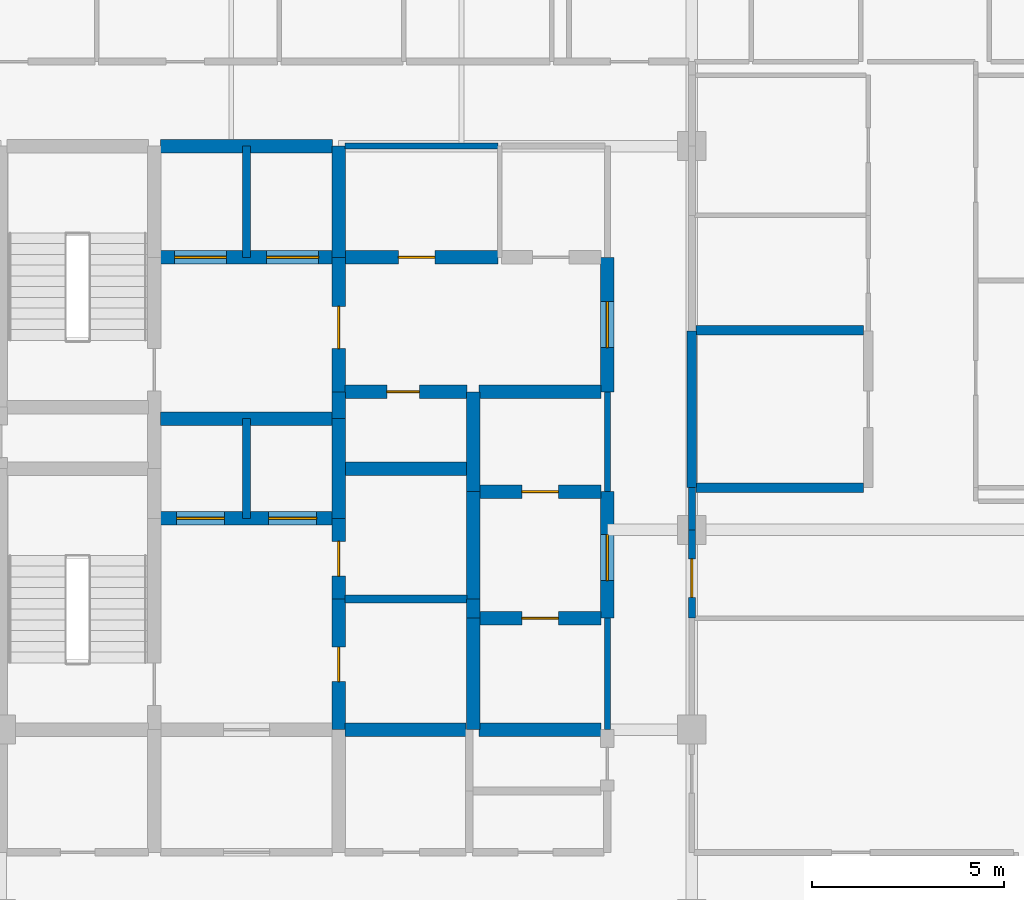
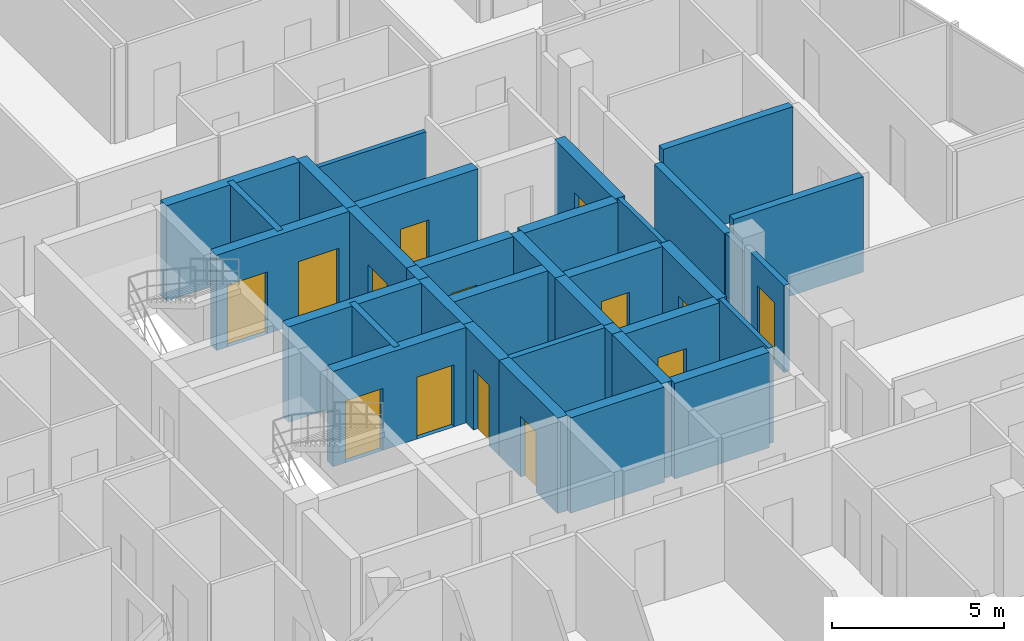
# One storey, part 24 of 28: 35 walls, 14 doors, 14 openings.
"""IFC4 building model written with IfcOpenShell, lengths in metres."""

from ifc_helpers import new_model, si_unit, direction, frame, frame_2d, origin, place, context, subcontext, project, spatial, rectangle, extrude, material, layer, layer_set, type_object, element, fill, save


model = new_model("IFC4")

# Units and contexts
model_context = context("Model", 3, precision=1e-05, world=origin(), true_north=direction((0.0, 1.0)))
body_context = subcontext(model_context, "Body", "Model", "MODEL_VIEW")
ifc_project = project(units=[si_unit("LENGTHUNIT", "METRE"), si_unit("AREAUNIT", "SQUARE_METRE"), si_unit("VOLUMEUNIT", "CUBIC_METRE"), si_unit("PLANEANGLEUNIT", "RADIAN"), si_unit("MASSUNIT", "GRAM", prefix="KILO")], contexts=[model_context])

# Site, building, storey
site_placement = place(None, origin())
site = spatial("IfcSite", under=ifc_project, at=site_placement, CompositionType="ELEMENT")
building_placement = place(site_placement, origin())
building = spatial("IfcBuilding", under=site, at=building_placement, Name="Keshet Zoharim Tower", CompositionType="ELEMENT")
storey_placement = place(building_placement, frame((0.0, 0.0, 265.800048828125)))
storey = spatial("IfcBuildingStorey", under=building, at=storey_placement, Name="L66", CompositionType="ELEMENT", Elevation=265.800048828125)

# Walls
ifc_material_1 = material(Name="Gypsum Plasterboard", Category="gypsum")
ifc_layer_1 = layer(ifc_material_1, 0.14990234375)
ifc_layer_set_1 = layer_set([ifc_layer_1], Name="Gypsum Plasterboard")
wall_type_1 = type_object("IfcWallType", Name="WL-CLIN-150", PredefinedType="STANDARD", material=ifc_layer_set_1)
wall_1_placement = place(storey_placement, frame((30.800048828125, 22.699951171875, 0.0), z_axis=(0.0, 0.0, 1.0), x_axis=(0.0, 1.0, 0.0)))
element("IfcWall", 1, at=wall_1_placement, inside=storey, type_object=wall_type_1, Name="L66 Interior Wall 067", PredefinedType="STANDARD", context=body_context, shape_type="SweptSolid", body=[
    extrude(rectangle(XDim=2.900146484375, YDim=0.14990234375, at=frame_2d((1.4501953125, 0.0))), origin(), (0.0, 0.0, 1.0), 3.389892578125),
])
wall_2_placement = place(storey_placement, frame((30.800048828125, 28.89990234375, 0.0), z_axis=(0.0, 0.0, 1.0), x_axis=(0.0, 1.0, 0.0)))
element("IfcWall", 2, at=wall_2_placement, inside=storey, type_object=wall_type_1, Name="L66 Interior Wall 069", PredefinedType="STANDARD", context=body_context, shape_type="SweptSolid", body=[
    extrude(rectangle(XDim=2.60009765625, YDim=0.14990234375, at=frame_2d((1.300048828125, 0.0))), origin(), (0.0, 0.0, 1.0), 3.389892578125),
])
wall_3_placement = place(storey_placement, frame((23.9599609375, 37.89990234375, 0.0), z_axis=(0.0, 0.0, 1.0), x_axis=(1.0, 0.0, 0.0)))
element("IfcWall", 3, at=wall_3_placement, inside=storey, type_object=wall_type_1, Name="L66 Interior Wall 161", PredefinedType="STANDARD", context=body_context, shape_type="SweptSolid", body=[
    extrude(rectangle(XDim=3.9951171875, YDim=0.14990234375, at=frame_2d((1.99755859375, 0.0))), origin(), (0.0, 0.0, 1.0), 2.889892578125),
])

# Wall, opening, door
ifc_material_2 = material(Name="Concrete C60/75", Category="concrete")
ifc_layer_2 = layer(ifc_material_2, 0.35009765625)
ifc_layer_set_2 = layer_set([ifc_layer_2], Name="Concrete C60/75")
wall_type_2 = type_object("IfcWallType", Name="WL-CORE-350", PredefinedType="SHEAR", material=ifc_layer_set_2)
wall_4_placement = place(storey_placement, frame((23.800048828125, 22.699951171875, 0.0), z_axis=(0.0, 0.0, 1.0), x_axis=(0.0, 1.0, 0.0)))
wall_4 = element("IfcWall", 4, at=wall_4_placement, inside=storey, type_object=wall_type_2, Name="L66 Core Shear Wall 042", PredefinedType="SHEAR", context=body_context, shape_type="SweptSolid", body=[
    extrude(rectangle(XDim=3.400146484375, YDim=0.35009765625, at=frame_2d((1.7001953125, 0.0))), origin(), (0.0, 0.0, 1.0), 3.389892578125),
])
opening_1_placement = place(wall_4_placement, frame((1.25, 0.0, 0.0)))
opening_1 = element("IfcOpeningElement", 5, at=opening_1_placement, cuts=wall_4, Name="Opening D-F690", PredefinedType="OPENING", context=body_context, shape_type="SweptSolid", body=[
    extrude(rectangle(XDim=0.89990234375, YDim=2.14990234375, at=frame_2d((0.449951171875, 1.074951171875))), frame((0.0, 0.18505859375, 0.0), z_axis=(0.0, -1.0, 0.0), x_axis=(1.0, 0.0, 0.0)), (0.0, 0.0, 1.0), 0.3701171875),
])
ifc_material_3 = material(Name="Hardwood Timber", Category="wood")
door_type_1 = type_object("IfcDoorType", Name="DR-FD60-090", OperationType="NOTDEFINED", PredefinedType="DOOR", material=ifc_material_3)
door_1_placement = place(opening_1_placement, origin())
door_1 = element("IfcDoor", 6, at=door_1_placement, inside=storey, type_object=door_type_1, Name="L66 Core Linen Store Door", OperationType="SINGLE_SWING_LEFT", OverallHeight=2.14990234375, OverallWidth=0.89990234375, PredefinedType="DOOR", context=body_context, shape_type="SweptSolid", body=[
    extrude(rectangle(XDim=0.89990234375, YDim=2.14990234375, at=frame_2d((0.449951171875, 1.074951171875))), frame((0.0, 0.02490234375, 0.0), z_axis=(0.0, -1.0, 0.0), x_axis=(1.0, 0.0, 0.0)), (0.0, 0.0, 1.0), 0.050048828125),
])
fill(opening_1, door_1)

wall_5_placement = place(storey_placement, frame((23.800048828125, 26.10009765625, 0.0), z_axis=(0.0, 0.0, 1.0), x_axis=(0.0, 1.0, 0.0)))
wall_5 = element("IfcWall", 7, at=wall_5_placement, inside=storey, type_object=wall_type_2, Name="L66 Core Shear Wall 043", PredefinedType="SHEAR", context=body_context, shape_type="SweptSolid", body=[
    extrude(rectangle(XDim=2.099853515625, YDim=0.35009765625, at=frame_2d((1.0498046875, 0.0))), origin(), (0.0, 0.0, 1.0), 3.389892578125),
])
opening_2_placement = place(wall_5_placement, frame((0.60009765625, 0.0, 0.0)))
opening_2 = element("IfcOpeningElement", 8, at=opening_2_placement, cuts=wall_5, Name="Opening D-F690", PredefinedType="OPENING", context=body_context, shape_type="SweptSolid", body=[
    extrude(rectangle(XDim=0.89990234375, YDim=2.14990234375, at=frame_2d((0.449951171875, 1.074951171875))), frame((0.0, 0.18505859375, 0.0), z_axis=(0.0, -1.0, 0.0), x_axis=(1.0, 0.0, 0.0)), (0.0, 0.0, 1.0), 0.3701171875),
])
door_2_placement = place(opening_2_placement, origin())
door_2 = element("IfcDoor", 9, at=door_2_placement, inside=storey, type_object=door_type_1, Name="L66 Core Electrical Room Door", OperationType="SINGLE_SWING_RIGHT", OverallHeight=2.14990234375, OverallWidth=0.89990234375, PredefinedType="DOOR", context=body_context, shape_type="SweptSolid", body=[
    extrude(rectangle(XDim=0.89990234375, YDim=2.14990234375, at=frame_2d((0.449951171875, 1.074951171875))), frame((0.0, 0.02490234375, 0.0), z_axis=(0.0, -1.0, 0.0), x_axis=(1.0, 0.0, 0.0)), (0.0, 0.0, 1.0), 0.050048828125),
])
fill(opening_2, door_2)

# Walls
wall_6_placement = place(storey_placement, frame((23.800048828125, 28.199951171875, 0.0), z_axis=(0.0, 0.0, 1.0), x_axis=(0.0, 1.0, 0.0)))
element("IfcWall", 10, at=wall_6_placement, inside=storey, type_object=wall_type_2, Name="L66 Core Shear Wall 044", PredefinedType="SHEAR", context=body_context, shape_type="SweptSolid", body=[
    extrude(rectangle(XDim=2.60009765625, YDim=0.35009765625, at=frame_2d((1.300048828125, 0.0))), origin(), (0.0, 0.0, 1.0), 3.389892578125),
])
wall_7_placement = place(storey_placement, frame((23.800048828125, 30.800048828125, 0.0), z_axis=(0.0, 0.0, 1.0), x_axis=(0.0, 1.0, 0.0)))
element("IfcWall", 11, at=wall_7_placement, inside=storey, type_object=wall_type_2, Name="L66 Core Shear Wall 045", PredefinedType="SHEAR", context=body_context, shape_type="SweptSolid", body=[
    extrude(rectangle(XDim=0.699951171875, YDim=0.35009765625, at=frame_2d((0.35009765625, 0.0))), origin(), (0.0, 0.0, 1.0), 3.389892578125),
])

# Wall, opening, door
wall_8_placement = place(storey_placement, frame((23.800048828125, 31.5, 0.0), z_axis=(0.0, 0.0, 1.0), x_axis=(0.0, 1.0, 0.0)))
wall_8 = element("IfcWall", 12, at=wall_8_placement, inside=storey, type_object=wall_type_2, Name="L66 Core Shear Wall 046", PredefinedType="SHEAR", context=body_context, shape_type="SweptSolid", body=[
    extrude(rectangle(XDim=3.5, YDim=0.35009765625, at=frame_2d((1.75, 0.0))), origin(), (0.0, 0.0, 1.0), 3.389892578125),
])
opening_3_placement = place(wall_8_placement, frame((1.126953125, 0.0, 0.0)))
opening_3 = element("IfcOpeningElement", 13, at=opening_3_placement, cuts=wall_8, Name="Opening D-F611", PredefinedType="OPENING", context=body_context, shape_type="SweptSolid", body=[
    extrude(rectangle(XDim=1.10009765625, YDim=2.14990234375, at=frame_2d((0.550048828125, 1.074951171875))), frame((0.0, 0.18505859375, 0.0), z_axis=(0.0, -1.0, 0.0), x_axis=(1.0, 0.0, 0.0)), (0.0, 0.0, 1.0), 0.3701171875),
])
door_type_2 = type_object("IfcDoorType", Name="DR-FD60-110", OperationType="NOTDEFINED", PredefinedType="DOOR", material=ifc_material_3)
door_3_placement = place(opening_3_placement, origin())
door_3 = element("IfcDoor", 14, at=door_3_placement, inside=storey, type_object=door_type_2, Name="L66 Firefighting Lobby Fire Door", OperationType="SINGLE_SWING_LEFT", OverallHeight=2.14990234375, OverallWidth=1.10009765625, PredefinedType="DOOR", context=body_context, shape_type="SweptSolid", body=[
    extrude(rectangle(XDim=1.10009765625, YDim=2.14990234375, at=frame_2d((0.550048828125, 1.074951171875))), frame((0.0, 0.02490234375, 0.0), z_axis=(0.0, -1.0, 0.0), x_axis=(1.0, 0.0, 0.0)), (0.0, 0.0, 1.0), 0.050048828125),
])
fill(opening_3, door_3)

# Walls
wall_9_placement = place(storey_placement, frame((23.800048828125, 35.0, 0.0), z_axis=(0.0, 0.0, 1.0), x_axis=(0.0, 1.0, 0.0)))
element("IfcWall", 15, at=wall_9_placement, inside=storey, type_object=wall_type_2, Name="L66 Core Shear Wall 047", PredefinedType="SHEAR", context=body_context, shape_type="SweptSolid", body=[
    extrude(rectangle(XDim=2.89990234375, YDim=0.35009765625, at=frame_2d((1.449951171875, 0.0))), origin(), (0.0, 0.0, 1.0), 3.389892578125),
])
wall_10_placement = place(storey_placement, frame((27.300048828125, 22.699951171875, 0.0), z_axis=(0.0, 0.0, 1.0), x_axis=(0.0, 1.0, 0.0)))
element("IfcWall", 16, at=wall_10_placement, inside=storey, type_object=wall_type_2, Name="L66 Core Shear Wall 054", PredefinedType="SHEAR", context=body_context, shape_type="SweptSolid", body=[
    extrude(rectangle(XDim=2.900146484375, YDim=0.35009765625, at=frame_2d((1.4501953125, 0.0))), origin(), (0.0, 0.0, 1.0), 3.389892578125),
])
wall_11_placement = place(storey_placement, frame((27.300048828125, 25.60009765625, 0.0), z_axis=(0.0, 0.0, 1.0), x_axis=(0.0, 1.0, 0.0)))
element("IfcWall", 17, at=wall_11_placement, inside=storey, type_object=wall_type_2, Name="L66 Core Shear Wall 055", PredefinedType="SHEAR", context=body_context, shape_type="SweptSolid", body=[
    extrude(rectangle(XDim=0.5, YDim=0.35009765625, at=frame_2d((0.25, 0.0))), origin(), (0.0, 0.0, 1.0), 3.389892578125),
])
wall_12_placement = place(storey_placement, frame((27.300048828125, 26.10009765625, 0.0), z_axis=(0.0, 0.0, 1.0), x_axis=(0.0, 1.0, 0.0)))
element("IfcWall", 18, at=wall_12_placement, inside=storey, type_object=wall_type_2, Name="L66 Core Shear Wall 056", PredefinedType="SHEAR", context=body_context, shape_type="SweptSolid", body=[
    extrude(rectangle(XDim=2.7998046875, YDim=0.35009765625, at=frame_2d((1.39990234375, 0.0))), origin(), (0.0, 0.0, 1.0), 3.389892578125),
])
wall_13_placement = place(storey_placement, frame((27.300048828125, 28.89990234375, 0.0), z_axis=(0.0, 0.0, 1.0), x_axis=(0.0, 1.0, 0.0)))
element("IfcWall", 19, at=wall_13_placement, inside=storey, type_object=wall_type_2, Name="L66 Core Shear Wall 057", PredefinedType="SHEAR", context=body_context, shape_type="SweptSolid", body=[
    extrude(rectangle(XDim=2.60009765625, YDim=0.35009765625, at=frame_2d((1.300048828125, 0.0))), origin(), (0.0, 0.0, 1.0), 3.389892578125),
])

# Wall, opening, door
wall_14_placement = place(storey_placement, frame((30.800048828125, 25.60009765625, 0.0), z_axis=(0.0, 0.0, 1.0), x_axis=(0.0, 1.0, 0.0)))
wall_14 = element("IfcWall", 20, at=wall_14_placement, inside=storey, type_object=wall_type_2, Name="L66 Core Shear Wall 068", PredefinedType="SHEAR", context=body_context, shape_type="SweptSolid", body=[
    extrude(rectangle(XDim=3.2998046875, YDim=0.35009765625, at=frame_2d((1.64990234375, 0.0))), origin(), (0.0, 0.0, 1.0), 3.389892578125),
])
opening_4_placement = place(wall_14_placement, frame((0.97802734375, 0.0, 0.0)))
opening_4 = element("IfcOpeningElement", 21, at=opening_4_placement, cuts=wall_14, Name="Opening D-F612", PredefinedType="OPENING", context=body_context, shape_type="SweptSolid", body=[
    extrude(rectangle(XDim=1.199951171875, YDim=2.199951171875, at=frame_2d((0.60009765625, 1.10009765625))), frame((0.0, 0.18505859375, 0.0), z_axis=(0.0, -1.0, 0.0), x_axis=(1.0, 0.0, 0.0)), (0.0, 0.0, 1.0), 0.3701171875),
])
door_type_3 = type_object("IfcDoorType", Name="DR-FD60-120", OperationType="NOTDEFINED", PredefinedType="DOOR", material=ifc_material_3)
door_4_placement = place(opening_4_placement, origin())
door_4 = element("IfcDoor", 22, at=door_4_placement, inside=storey, type_object=door_type_3, Name="L66 East Lift Lobby Fire Door", OperationType="SINGLE_SWING_RIGHT", OverallHeight=2.199951171875, OverallWidth=1.199951171875, PredefinedType="DOOR", context=body_context, shape_type="SweptSolid", body=[
    extrude(rectangle(XDim=1.199951171875, YDim=2.199951171875, at=frame_2d((0.60009765625, 1.10009765625))), frame((0.0, 0.02490234375, 0.0), z_axis=(0.0, -1.0, 0.0), x_axis=(1.0, 0.0, 0.0)), (0.0, 0.0, 1.0), 0.050048828125),
])
fill(opening_4, door_4)

wall_15_placement = place(storey_placement, frame((30.800048828125, 31.5, 0.0), z_axis=(0.0, 0.0, 1.0), x_axis=(0.0, 1.0, 0.0)))
wall_15 = element("IfcWall", 23, at=wall_15_placement, inside=storey, type_object=wall_type_2, Name="L66 Core Shear Wall 070", PredefinedType="SHEAR", context=body_context, shape_type="SweptSolid", body=[
    extrude(rectangle(XDim=3.5, YDim=0.35009765625, at=frame_2d((1.75, 0.0))), origin(), (0.0, 0.0, 1.0), 3.389892578125),
])
opening_5_placement = place(wall_15_placement, frame((1.14990234375, 0.0, 0.0)))
opening_5 = element("IfcOpeningElement", 24, at=opening_5_placement, cuts=wall_15, Name="Opening D-F612", PredefinedType="OPENING", context=body_context, shape_type="SweptSolid", body=[
    extrude(rectangle(XDim=1.199951171875, YDim=2.199951171875, at=frame_2d((0.60009765625, 1.10009765625))), frame((0.0, 0.18505859375, 0.0), z_axis=(0.0, -1.0, 0.0), x_axis=(1.0, 0.0, 0.0)), (0.0, 0.0, 1.0), 0.3701171875),
])
door_5_placement = place(opening_5_placement, origin())
door_5 = element("IfcDoor", 25, at=door_5_placement, inside=storey, type_object=door_type_3, Name="L66 North Lift Lobby East Fire Door", OperationType="SINGLE_SWING_LEFT", OverallHeight=2.199951171875, OverallWidth=1.199951171875, PredefinedType="DOOR", context=body_context, shape_type="SweptSolid", body=[
    extrude(rectangle(XDim=1.199951171875, YDim=2.199951171875, at=frame_2d((0.60009765625, 1.10009765625))), frame((0.0, 0.02490234375, 0.0), z_axis=(0.0, -1.0, 0.0), x_axis=(1.0, 0.0, 0.0)), (0.0, 0.0, 1.0), 0.050048828125),
])
fill(opening_5, door_5)

# Walls
wall_16_placement = place(storey_placement, frame((23.9599609375, 22.699951171875, 0.0), z_axis=(0.0, 0.0, 1.0), x_axis=(1.0, 0.0, 0.0)))
element("IfcWall", 26, at=wall_16_placement, inside=storey, type_object=wall_type_2, Name="L66 Core Shear Wall 124", PredefinedType="SHEAR", context=body_context, shape_type="SweptSolid", body=[
    extrude(rectangle(XDim=3.155029296875, YDim=0.35009765625, at=frame_2d((1.57763671875, 0.0))), origin(), (0.0, 0.0, 1.0), 3.389892578125),
])
wall_17_placement = place(storey_placement, frame((27.4599609375, 22.699951171875, 0.0), z_axis=(0.0, 0.0, 1.0), x_axis=(1.0, 0.0, 0.0)))
element("IfcWall", 27, at=wall_17_placement, inside=storey, type_object=wall_type_2, Name="L66 Core Shear Wall 125", PredefinedType="SHEAR", context=body_context, shape_type="SweptSolid", body=[
    extrude(rectangle(XDim=3.179931640625, YDim=0.35009765625, at=frame_2d((1.58984375, 0.0))), origin(), (0.0, 0.0, 1.0), 3.389892578125),
])

# Wall, opening, door
wall_18_placement = place(storey_placement, frame((27.4599609375, 25.60009765625, 0.0), z_axis=(0.0, 0.0, 1.0), x_axis=(1.0, 0.0, 0.0)))
wall_18 = element("IfcWall", 28, at=wall_18_placement, inside=storey, type_object=wall_type_2, Name="L66 Core Shear Wall 128", PredefinedType="SHEAR", context=body_context, shape_type="SweptSolid", body=[
    extrude(rectangle(XDim=3.179931640625, YDim=0.35009765625, at=frame_2d((1.58984375, 0.0))), origin(), (0.0, 0.0, 1.0), 3.389892578125),
])
opening_6_placement = place(wall_18_placement, frame((1.114990234375, 0.0, 0.0)))
opening_6 = element("IfcOpeningElement", 29, at=opening_6_placement, cuts=wall_18, Name="Opening D-F695", PredefinedType="OPENING", context=body_context, shape_type="SweptSolid", body=[
    extrude(rectangle(XDim=0.949951171875, YDim=2.14990234375, at=frame_2d((0.47509765625, 1.074951171875))), frame((0.0, 0.18505859375, 0.0), z_axis=(0.0, -1.0, 0.0), x_axis=(1.0, 0.0, 0.0)), (0.0, 0.0, 1.0), 0.3701171875),
])
door_type_4 = type_object("IfcDoorType", Name="DR-FD60-095", OperationType="NOTDEFINED", PredefinedType="DOOR", material=ifc_material_3)
door_6_placement = place(opening_6_placement, origin())
door_6 = element("IfcDoor", 30, at=door_6_placement, inside=storey, type_object=door_type_4, Name="L66 Study Alcove Door", OperationType="SINGLE_SWING_RIGHT", OverallHeight=2.14990234375, OverallWidth=0.949951171875, PredefinedType="DOOR", context=body_context, shape_type="SweptSolid", body=[
    extrude(rectangle(XDim=0.949951171875, YDim=2.14990234375, at=frame_2d((0.47509765625, 1.074951171875))), frame((0.0, 0.02490234375, 0.0), z_axis=(0.0, -1.0, 0.0), x_axis=(1.0, 0.0, 0.0)), (0.0, 0.0, 1.0), 0.050048828125),
])
fill(opening_6, door_6)

# Wall, openings, doors
wall_19_placement = place(storey_placement, frame((19.159912109375, 28.199951171875, 0.0), z_axis=(0.0, 0.0, 1.0), x_axis=(1.0, 0.0, 0.0)))
wall_19 = element("IfcWall", 31, at=wall_19_placement, inside=storey, type_object=wall_type_2, Name="L66 Core Shear Wall 135", PredefinedType="SHEAR", context=body_context, shape_type="SweptSolid", body=[
    extrude(rectangle(XDim=4.47998046875, YDim=0.35009765625, at=frame_2d((2.239990234375, 0.0))), origin(), (0.0, 0.0, 1.0), 3.389892578125),
])
opening_7_placement = place(wall_19_placement, frame((0.4150390625, 0.0, 0.0)))
opening_7 = element("IfcOpeningElement", 32, at=opening_7_placement, cuts=wall_19, Name="Opening LD-01", PredefinedType="OPENING", context=body_context, shape_type="SweptSolid", body=[
    extrude(rectangle(XDim=1.25, YDim=2.199951171875, at=frame_2d((0.625, 1.10009765625))), frame((0.0, 0.18505859375, 0.0), z_axis=(0.0, -1.0, 0.0), x_axis=(1.0, 0.0, 0.0)), (0.0, 0.0, 1.0), 0.3701171875),
])
opening_8_placement = place(wall_19_placement, frame((2.81494140625, 0.0, 0.0)))
opening_8 = element("IfcOpeningElement", 33, at=opening_8_placement, cuts=wall_19, Name="Opening LD-01", PredefinedType="OPENING", context=body_context, shape_type="SweptSolid", body=[
    extrude(rectangle(XDim=1.25, YDim=2.199951171875, at=frame_2d((0.625, 1.10009765625))), frame((0.0, 0.18505859375, 0.0), z_axis=(0.0, -1.0, 0.0), x_axis=(1.0, 0.0, 0.0)), (0.0, 0.0, 1.0), 0.3701171875),
])
ifc_material_4 = material(Name="Steel S355", Category="steel")
door_type_5 = type_object("IfcDoorType", Name="DR-LD01-125", OperationType="DOUBLE_DOOR_SLIDING", PredefinedType="DOOR", material=ifc_material_4)
door_7_placement = place(opening_7_placement, origin())
door_7 = element("IfcDoor", 34, at=door_7_placement, inside=storey, type_object=door_type_5, Name="L66 Passenger Lift Landing Door LF-09", OperationType="DOUBLE_DOOR_SLIDING", OverallHeight=2.199951171875, OverallWidth=1.25, PredefinedType="DOOR", context=body_context, shape_type="SweptSolid", body=[
    extrude(rectangle(XDim=1.25, YDim=2.199951171875, at=frame_2d((0.625, 1.10009765625))), frame((0.0, 0.02490234375, 0.0), z_axis=(0.0, -1.0, 0.0), x_axis=(1.0, 0.0, 0.0)), (0.0, 0.0, 1.0), 0.050048828125),
])
fill(opening_7, door_7)
door_8_placement = place(opening_8_placement, origin())
door_8 = element("IfcDoor", 35, at=door_8_placement, inside=storey, type_object=door_type_5, Name="L66 Passenger Lift Landing Door LF-10", OperationType="DOUBLE_DOOR_SLIDING", OverallHeight=2.199951171875, OverallWidth=1.25, PredefinedType="DOOR", context=body_context, shape_type="SweptSolid", body=[
    extrude(rectangle(XDim=1.25, YDim=2.199951171875, at=frame_2d((0.625, 1.10009765625))), frame((0.0, 0.02490234375, 0.0), z_axis=(0.0, -1.0, 0.0), x_axis=(1.0, 0.0, 0.0)), (0.0, 0.0, 1.0), 0.050048828125),
])
fill(opening_8, door_8)

# Wall, opening, door
wall_20_placement = place(storey_placement, frame((27.4599609375, 28.89990234375, 0.0), z_axis=(0.0, 0.0, 1.0), x_axis=(1.0, 0.0, 0.0)))
wall_20 = element("IfcWall", 36, at=wall_20_placement, inside=storey, type_object=wall_type_2, Name="L66 Core Shear Wall 137", PredefinedType="SHEAR", context=body_context, shape_type="SweptSolid", body=[
    extrude(rectangle(XDim=3.179931640625, YDim=0.35009765625, at=frame_2d((1.58984375, 0.0))), origin(), (0.0, 0.0, 1.0), 3.389892578125),
])
opening_9_placement = place(wall_20_placement, frame((1.114990234375, 0.0, 0.0)))
opening_9 = element("IfcOpeningElement", 37, at=opening_9_placement, cuts=wall_20, Name="Opening D-F695", PredefinedType="OPENING", context=body_context, shape_type="SweptSolid", body=[
    extrude(rectangle(XDim=0.949951171875, YDim=2.14990234375, at=frame_2d((0.47509765625, 1.074951171875))), frame((0.0, 0.18505859375, 0.0), z_axis=(0.0, -1.0, 0.0), x_axis=(1.0, 0.0, 0.0)), (0.0, 0.0, 1.0), 0.3701171875),
])
door_9_placement = place(opening_9_placement, frame((0.949951171875, 0.0, 0.0), z_axis=(0.0, 0.0, 1.0), x_axis=(-1.0, 0.0, 0.0)))
door_9 = element("IfcDoor", 38, at=door_9_placement, inside=storey, type_object=door_type_4, Name="L66 Parcel Store Door", OperationType="SINGLE_SWING_LEFT", OverallHeight=2.14990234375, OverallWidth=0.949951171875, PredefinedType="DOOR", context=body_context, shape_type="SweptSolid", body=[
    extrude(rectangle(XDim=0.949951171875, YDim=2.14990234375, at=frame_2d((0.47509765625, 1.074951171875))), frame((0.0, 0.02490234375, 0.0), z_axis=(0.0, -1.0, 0.0), x_axis=(1.0, 0.0, 0.0)), (0.0, 0.0, 1.0), 0.050048828125),
])
fill(opening_9, door_9)

# Walls
wall_21_placement = place(storey_placement, frame((23.9599609375, 29.5, 0.0), z_axis=(0.0, 0.0, 1.0), x_axis=(1.0, 0.0, 0.0)))
element("IfcWall", 39, at=wall_21_placement, inside=storey, type_object=wall_type_2, Name="L66 Core Shear Wall 141", PredefinedType="SHEAR", context=body_context, shape_type="SweptSolid", body=[
    extrude(rectangle(XDim=3.179931640625, YDim=0.35009765625, at=frame_2d((1.58984375, 0.0))), origin(), (0.0, 0.0, 1.0), 3.389892578125),
])
wall_22_placement = place(storey_placement, frame((19.159912109375, 30.800048828125, 0.0), z_axis=(0.0, 0.0, 1.0), x_axis=(1.0, 0.0, 0.0)))
element("IfcWall", 40, at=wall_22_placement, inside=storey, type_object=wall_type_2, Name="L66 Core Shear Wall 144", PredefinedType="SHEAR", context=body_context, shape_type="SweptSolid", body=[
    extrude(rectangle(XDim=4.47998046875, YDim=0.35009765625, at=frame_2d((2.239990234375, 0.0))), origin(), (0.0, 0.0, 1.0), 3.389892578125),
])

# Wall, opening, door
wall_23_placement = place(storey_placement, frame((23.9599609375, 31.5, 0.0), z_axis=(0.0, 0.0, 1.0), x_axis=(1.0, 0.0, 0.0)))
wall_23 = element("IfcWall", 41, at=wall_23_placement, inside=storey, type_object=wall_type_2, Name="L66 Core Shear Wall 146", PredefinedType="SHEAR", context=body_context, shape_type="SweptSolid", body=[
    extrude(rectangle(XDim=3.179931640625, YDim=0.35009765625, at=frame_2d((1.58984375, 0.0))), origin(), (0.0, 0.0, 1.0), 3.389892578125),
])
opening_10_placement = place(wall_23_placement, frame((1.093994140625, 0.0, 0.0)))
opening_10 = element("IfcOpeningElement", 42, at=opening_10_placement, cuts=wall_23, Name="Opening D-RS85", PredefinedType="OPENING", context=body_context, shape_type="SweptSolid", body=[
    extrude(rectangle(XDim=0.85009765625, YDim=2.10009765625, at=frame_2d((0.425048828125, 1.050048828125))), frame((0.0, 0.18505859375, 0.0), z_axis=(0.0, -1.0, 0.0), x_axis=(1.0, 0.0, 0.0)), (0.0, 0.0, 1.0), 0.3701171875),
])
door_type_6 = type_object("IfcDoorType", Name="DR-RIS-085", OperationType="NOTDEFINED", PredefinedType="DOOR", material=ifc_material_3)
door_10_placement = place(opening_10_placement, origin())
door_10 = element("IfcDoor", 43, at=door_10_placement, inside=storey, type_object=door_type_6, Name="L66 Telecom Riser Access Cupboard Door", OperationType="SINGLE_SWING_RIGHT", OverallHeight=2.10009765625, OverallWidth=0.85009765625, PredefinedType="DOOR", context=body_context, shape_type="SweptSolid", body=[
    extrude(rectangle(XDim=0.85009765625, YDim=2.10009765625, at=frame_2d((0.425048828125, 1.050048828125))), frame((0.0, 0.02490234375, 0.0), z_axis=(0.0, -1.0, 0.0), x_axis=(1.0, 0.0, 0.0)), (0.0, 0.0, 1.0), 0.050048828125),
])
fill(opening_10, door_10)

# Wall
wall_24_placement = place(storey_placement, frame((27.4599609375, 31.5, 0.0), z_axis=(0.0, 0.0, 1.0), x_axis=(1.0, 0.0, 0.0)))
element("IfcWall", 44, at=wall_24_placement, inside=storey, type_object=wall_type_2, Name="L66 Core Shear Wall 147", PredefinedType="SHEAR", context=body_context, shape_type="SweptSolid", body=[
    extrude(rectangle(XDim=3.179931640625, YDim=0.35009765625, at=frame_2d((1.58984375, 0.0))), origin(), (0.0, 0.0, 1.0), 3.389892578125),
])

# Wall, openings, doors
wall_25_placement = place(storey_placement, frame((19.159912109375, 35.0, 0.0), z_axis=(0.0, 0.0, 1.0), x_axis=(1.0, 0.0, 0.0)))
wall_25 = element("IfcWall", 45, at=wall_25_placement, inside=storey, type_object=wall_type_2, Name="L66 Core Shear Wall 153", PredefinedType="SHEAR", context=body_context, shape_type="SweptSolid", body=[
    extrude(rectangle(XDim=4.47998046875, YDim=0.35009765625, at=frame_2d((2.239990234375, 0.0))), origin(), (0.0, 0.0, 1.0), 3.389892578125),
])
opening_11_placement = place(wall_25_placement, frame((0.364990234375, 0.0, 0.0)))
opening_11 = element("IfcOpeningElement", 46, at=opening_11_placement, cuts=wall_25, Name="Opening LD-02", PredefinedType="OPENING", context=body_context, shape_type="SweptSolid", body=[
    extrude(rectangle(XDim=1.35009765625, YDim=2.199951171875, at=frame_2d((0.675048828125, 1.10009765625))), frame((0.0, 0.18505859375, 0.0), z_axis=(0.0, -1.0, 0.0), x_axis=(1.0, 0.0, 0.0)), (0.0, 0.0, 1.0), 0.3701171875),
])
opening_12_placement = place(wall_25_placement, frame((2.764892578125, 0.0, 0.0)))
opening_12 = element("IfcOpeningElement", 47, at=opening_12_placement, cuts=wall_25, Name="Opening LD-02", PredefinedType="OPENING", context=body_context, shape_type="SweptSolid", body=[
    extrude(rectangle(XDim=1.35009765625, YDim=2.199951171875, at=frame_2d((0.675048828125, 1.10009765625))), frame((0.0, 0.18505859375, 0.0), z_axis=(0.0, -1.0, 0.0), x_axis=(1.0, 0.0, 0.0)), (0.0, 0.0, 1.0), 0.3701171875),
])
door_type_7 = type_object("IfcDoorType", Name="DR-LD02-135", OperationType="DOUBLE_DOOR_SLIDING", PredefinedType="DOOR", material=ifc_material_4)
door_11_placement = place(opening_11_placement, origin())
door_11 = element("IfcDoor", 48, at=door_11_placement, inside=storey, type_object=door_type_7, Name="L66 Firefighting Lift Landing Door FF-01", OperationType="DOUBLE_DOOR_SLIDING", OverallHeight=2.199951171875, OverallWidth=1.35009765625, PredefinedType="DOOR", context=body_context, shape_type="SweptSolid", body=[
    extrude(rectangle(XDim=1.35009765625, YDim=2.199951171875, at=frame_2d((0.675048828125, 1.10009765625))), frame((0.0, 0.02490234375, 0.0), z_axis=(0.0, -1.0, 0.0), x_axis=(1.0, 0.0, 0.0)), (0.0, 0.0, 1.0), 0.050048828125),
])
fill(opening_11, door_11)
door_12_placement = place(opening_12_placement, origin())
door_12 = element("IfcDoor", 49, at=door_12_placement, inside=storey, type_object=door_type_7, Name="L66 Firefighting Lift Landing Door FF-02", OperationType="DOUBLE_DOOR_SLIDING", OverallHeight=2.199951171875, OverallWidth=1.35009765625, PredefinedType="DOOR", context=body_context, shape_type="SweptSolid", body=[
    extrude(rectangle(XDim=1.35009765625, YDim=2.199951171875, at=frame_2d((0.675048828125, 1.10009765625))), frame((0.0, 0.02490234375, 0.0), z_axis=(0.0, -1.0, 0.0), x_axis=(1.0, 0.0, 0.0)), (0.0, 0.0, 1.0), 0.050048828125),
])
fill(opening_12, door_12)

# Wall, opening, door
wall_26_placement = place(storey_placement, frame((23.9599609375, 35.0, 0.0), z_axis=(0.0, 0.0, 1.0), x_axis=(1.0, 0.0, 0.0)))
wall_26 = element("IfcWall", 50, at=wall_26_placement, inside=storey, type_object=wall_type_2, Name="L66 Core Shear Wall 154", PredefinedType="SHEAR", context=body_context, shape_type="SweptSolid", body=[
    extrude(rectangle(XDim=3.9951171875, YDim=0.35009765625, at=frame_2d((1.99755859375, 0.0))), origin(), (0.0, 0.0, 1.0), 3.389892578125),
])
opening_13_placement = place(wall_26_placement, frame((1.39306640625, 0.0, 0.0)))
opening_13 = element("IfcOpeningElement", 51, at=opening_13_placement, cuts=wall_26, Name="Opening D-F695", PredefinedType="OPENING", context=body_context, shape_type="SweptSolid", body=[
    extrude(rectangle(XDim=0.949951171875, YDim=2.14990234375, at=frame_2d((0.47509765625, 1.074951171875))), frame((0.0, 0.18505859375, 0.0), z_axis=(0.0, -1.0, 0.0), x_axis=(1.0, 0.0, 0.0)), (0.0, 0.0, 1.0), 0.3701171875),
])
door_13_placement = place(opening_13_placement, frame((0.949951171875, 0.0, 0.0), z_axis=(0.0, 0.0, 1.0), x_axis=(-1.0, 0.0, 0.0)))
door_13 = element("IfcDoor", 52, at=door_13_placement, inside=storey, type_object=door_type_4, Name="L66 Laundry Room Door", OperationType="SINGLE_SWING_LEFT", OverallHeight=2.14990234375, OverallWidth=0.949951171875, PredefinedType="DOOR", context=body_context, shape_type="SweptSolid", body=[
    extrude(rectangle(XDim=0.949951171875, YDim=2.14990234375, at=frame_2d((0.47509765625, 1.074951171875))), frame((0.0, 0.02490234375, 0.0), z_axis=(0.0, -1.0, 0.0), x_axis=(1.0, 0.0, 0.0)), (0.0, 0.0, 1.0), 0.050048828125),
])
fill(opening_13, door_13)

# Wall
wall_27_placement = place(storey_placement, frame((19.159912109375, 37.89990234375, 0.0), z_axis=(0.0, 0.0, 1.0), x_axis=(1.0, 0.0, 0.0)))
element("IfcWall", 53, at=wall_27_placement, inside=storey, type_object=wall_type_2, Name="L66 Core Shear Wall 160", PredefinedType="SHEAR", context=body_context, shape_type="SweptSolid", body=[
    extrude(rectangle(XDim=4.47998046875, YDim=0.35009765625, at=frame_2d((2.239990234375, 0.0))), origin(), (0.0, 0.0, 1.0), 3.389892578125),
])

# Wall, opening, door
ifc_layer_3 = layer(ifc_material_1, 0.179931640625)
ifc_layer_set_3 = layer_set([ifc_layer_3], Name="Gypsum Plasterboard")
wall_type_3 = type_object("IfcWallType", Name="WL-CORR-180", PredefinedType="STANDARD", material=ifc_layer_set_3)
wall_28_placement = place(storey_placement, frame((33.0, 25.60009765625, 0.0), z_axis=(0.0, 0.0, 1.0), x_axis=(0.0, 1.0, 0.0)))
wall_28 = element("IfcWall", 54, at=wall_28_placement, inside=storey, type_object=wall_type_3, Name="L66 Interior Wall 073", PredefinedType="STANDARD", context=body_context, shape_type="SweptSolid", body=[
    extrude(rectangle(XDim=2.2998046875, YDim=0.179931640625, at=frame_2d((1.14990234375, 0.0))), origin(), (0.0, 0.0, 1.0), 3.099853515625),
])
opening_14_placement = place(wall_28_placement, frame((0.5458984375, 0.0, 0.0)))
opening_14 = element("IfcOpeningElement", 55, at=opening_14_placement, cuts=wall_28, Name="Opening D-F310", PredefinedType="OPENING", context=body_context, shape_type="SweptSolid", body=[
    extrude(rectangle(XDim=1.0, YDim=2.14990234375, at=frame_2d((0.5, 1.074951171875))), frame((0.0, 0.10009765625, 0.0), z_axis=(0.0, -1.0, 0.0), x_axis=(1.0, 0.0, 0.0)), (0.0, 0.0, 1.0), 0.199951171875),
])
door_type_8 = type_object("IfcDoorType", Name="DR-FD30-100", OperationType="NOTDEFINED", PredefinedType="DOOR", material=ifc_material_3)
door_14_placement = place(opening_14_placement, origin())
door_14 = element("IfcDoor", 56, at=door_14_placement, inside=storey, type_object=door_type_8, Name="Apartment 6610 Entrance Door", OperationType="SINGLE_SWING_LEFT", OverallHeight=2.14990234375, OverallWidth=1.0, PredefinedType="DOOR", context=body_context, shape_type="SweptSolid", body=[
    extrude(rectangle(XDim=1.0, YDim=2.14990234375, at=frame_2d((0.5, 1.074951171875))), frame((0.0, 0.02490234375, 0.0), z_axis=(0.0, -1.0, 0.0), x_axis=(1.0, 0.0, 0.0)), (0.0, 0.0, 1.0), 0.050048828125),
])
fill(opening_14, door_14)

# Walls
wall_29_placement = place(storey_placement, frame((33.0, 27.89990234375, 0.0), z_axis=(0.0, 0.0, 1.0), x_axis=(0.0, 1.0, 0.0)))
element("IfcWall", 57, at=wall_29_placement, inside=storey, type_object=wall_type_3, Name="L66 Interior Wall 073 Part 2", PredefinedType="STANDARD", context=body_context, shape_type="SweptSolid", body=[
    extrude(rectangle(XDim=1.10009765625, YDim=0.179931640625, at=frame_2d((0.550048828125, 0.0))), origin(), (0.0, 0.0, 1.0), 2.889892578125),
])
ifc_material_5 = material(Name="Concrete C50/60", Category="concrete")
ifc_layer_4 = layer(ifc_material_5, 0.199951171875)
ifc_layer_set_4 = layer_set([ifc_layer_4], Name="Concrete C50/60")
wall_type_4 = type_object("IfcWallType", Name="WL-FIRE-200", PredefinedType="STANDARD", material=ifc_layer_set_4)
wall_30_placement = place(storey_placement, frame((21.39990234375, 28.199951171875, 0.0), z_axis=(0.0, 0.0, 1.0), x_axis=(0.0, 1.0, 0.0)))
element("IfcWall", 58, at=wall_30_placement, inside=storey, type_object=wall_type_4, Name="L66 Interior Wall 036", PredefinedType="STANDARD", context=body_context, shape_type="SweptSolid", body=[
    extrude(rectangle(XDim=2.60009765625, YDim=0.199951171875, at=frame_2d((1.300048828125, 0.0))), origin(), (0.0, 0.0, 1.0), 3.389892578125),
])
wall_31_placement = place(storey_placement, frame((21.39990234375, 35.0, 0.0), z_axis=(0.0, 0.0, 1.0), x_axis=(0.0, 1.0, 0.0)))
element("IfcWall", 59, at=wall_31_placement, inside=storey, type_object=wall_type_4, Name="L66 Interior Wall 037", PredefinedType="STANDARD", context=body_context, shape_type="SweptSolid", body=[
    extrude(rectangle(XDim=2.89990234375, YDim=0.199951171875, at=frame_2d((1.449951171875, 0.0))), origin(), (0.0, 0.0, 1.0), 3.389892578125),
])
wall_32_placement = place(storey_placement, frame((23.9599609375, 26.10009765625, 0.0), z_axis=(0.0, 0.0, 1.0), x_axis=(1.0, 0.0, 0.0)))
element("IfcWall", 60, at=wall_32_placement, inside=storey, type_object=wall_type_4, Name="L66 Interior Wall 130", PredefinedType="STANDARD", context=body_context, shape_type="SweptSolid", body=[
    extrude(rectangle(XDim=3.179931640625, YDim=0.199951171875, at=frame_2d((1.58984375, 0.0))), origin(), (0.0, 0.0, 1.0), 3.389892578125),
])
ifc_layer_5 = layer(ifc_material_5, 0.25)
ifc_layer_set_5 = layer_set([ifc_layer_5], Name="Concrete C50/60")
wall_type_5 = type_object("IfcWallType", Name="WL-MAMAD-250", PredefinedType="STANDARD", material=ifc_layer_set_5)
wall_33_placement = place(storey_placement, frame((33.0, 29.0, 0.0), z_axis=(0.0, 0.0, 1.0), x_axis=(0.0, 1.0, 0.0)))
element("IfcWall", 61, at=wall_33_placement, inside=storey, type_object=wall_type_5, Name="L66 Interior Wall 074", PredefinedType="STANDARD", context=body_context, shape_type="SweptSolid", body=[
    extrude(rectangle(XDim=4.0849609375, YDim=0.25, at=frame_2d((2.04248046875, 0.0))), origin(), (0.0, 0.0, 1.0), 2.889892578125),
])
for number, where, z_axis, x_axis, name in (
    (62, (33.110107421875, 29.0, 0.0), (0.0, 0.0, 1.0), (1.0, 0.0, 0.0), "L66 Interior Wall 138"),
    (63, (33.110107421875, 33.10009765625, 0.0), (0.0, 0.0, 1.0), (1.0, 0.0, 0.0), "L66 Interior Wall 148"),
):
    element("IfcWall", number, at=place(storey_placement, frame(where, z_axis=z_axis, x_axis=x_axis)), inside=storey, type_object=wall_type_5, Name=name, PredefinedType="STANDARD", context=body_context, shape_type="SweptSolid", body=[
        extrude(rectangle(XDim=4.35986328125, YDim=0.25, at=frame_2d((2.179931640625, 0.0))), origin(), (0.0, 0.0, 1.0), 3.389892578125),
    ])

save(model, "model.ifc")
